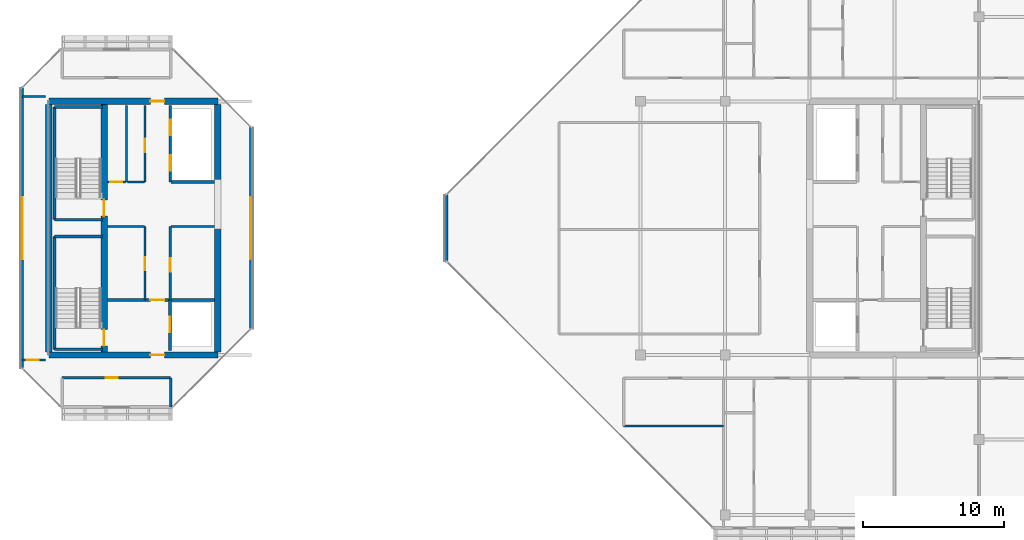
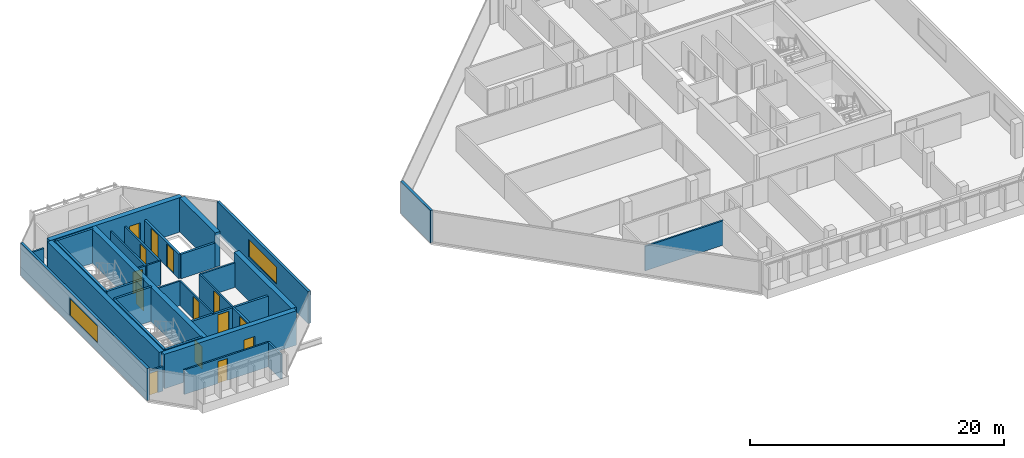
# One storey, part 21 of 28: 32 walls, 14 doors, 2 windows, 16 openings.
"""IFC4 building model written with IfcOpenShell, lengths in metres."""

from ifc_helpers import new_model, si_unit, direction, frame, frame_2d, origin, place, context, subcontext, project, spatial, rectangle, extrude, material, layer, layer_set, type_object, element, fill, save


model = new_model("IFC4")

# Units and contexts
model_context = context("Model", 3, precision=1e-05, world=origin(), true_north=direction((0.0, 1.0)))
body_context = subcontext(model_context, "Body", "Model", "MODEL_VIEW")
ifc_project = project(units=[si_unit("LENGTHUNIT", "METRE"), si_unit("AREAUNIT", "SQUARE_METRE"), si_unit("VOLUMEUNIT", "CUBIC_METRE"), si_unit("PLANEANGLEUNIT", "RADIAN"), si_unit("MASSUNIT", "GRAM", prefix="KILO")], contexts=[model_context])

# Site, building, storey
site_placement = place(None, origin())
site = spatial("IfcSite", under=ifc_project, at=site_placement, CompositionType="ELEMENT")
building_placement = place(site_placement, origin())
building = spatial("IfcBuilding", under=site, at=building_placement, Name="Tanjung Sevakor Pilgrim Tower", CompositionType="ELEMENT")
storey_placement = place(building_placement, frame((0.0, 0.0, 239.25)))
storey = spatial("IfcBuildingStorey", under=building, at=storey_placement, Name="L67", CompositionType="ELEMENT", Elevation=239.25)

# Wall, opening, door
ifc_material_1 = material(Name="Concrete C60/75", Category="concrete")
ifc_layer_1 = layer(ifc_material_1, 0.449951171875)
ifc_layer_set_1 = layer_set([ifc_layer_1], Name="WALL-CW-450")
wall_type_1 = type_object("IfcWallType", Name="WALL-CW-450", PredefinedType="SHEAR", material=ifc_layer_set_1)
wall_1_placement = place(storey_placement, frame((24.0, 24.60009765625, 0.0), z_axis=(0.0, 0.0, 1.0), x_axis=(1.0, 0.0, 0.0)))
wall_1 = element("IfcWall", 1, at=wall_1_placement, inside=storey, type_object=wall_type_1, Name="L67 W Core South Shear Wall", PredefinedType="SHEAR", context=body_context, shape_type="SweptSolid", body=[
    extrude(rectangle(XDim=12.0, YDim=0.449951171875, at=frame_2d((6.0, 0.0))), origin(), (0.0, 0.0, 1.0), 3.300048828125),
])
opening_1_placement = place(wall_1_placement, frame((7.199951171875, 0.0, 0.0)))
opening_1 = element("IfcOpeningElement", 2, at=opening_1_placement, cuts=wall_1, Name="Opening ID-FD1", PredefinedType="OPENING", context=body_context, shape_type="SweptSolid", body=[
    extrude(rectangle(XDim=1.0, YDim=2.14990234375, at=frame_2d((0.5, 1.074951171875))), frame((0.0, 0.23486328125, 0.0), z_axis=(0.0, -1.0, 0.0), x_axis=(1.0, 0.0, 0.0)), (0.0, 0.0, 1.0), 0.469970703125),
])
ifc_material_2 = material(Name="Fire-Rated Steel S355J2", Category="steel")
door_type_1 = type_object("IfcDoorType", Name="DT-FIRE-1000", OperationType="NOTDEFINED", PredefinedType="DOOR", material=ifc_material_2)
door_1_placement = place(opening_1_placement, origin())
door_1 = element("IfcDoor", 3, at=door_1_placement, inside=storey, type_object=door_type_1, Name="L67 West Core South Vestibule Fire Door", OperationType="SINGLE_SWING_LEFT", OverallHeight=2.14990234375, OverallWidth=1.0, PredefinedType="DOOR", context=body_context, shape_type="SweptSolid", body=[
    extrude(rectangle(XDim=1.0, YDim=2.14990234375, at=frame_2d((0.5, 1.074951171875))), frame((0.0, 0.02490234375, 0.0), z_axis=(0.0, -1.0, 0.0), x_axis=(1.0, 0.0, 0.0)), (0.0, 0.0, 1.0), 0.050048828125),
])
fill(opening_1, door_1)

wall_2_placement = place(storey_placement, frame((36.0, 42.60009765625, 0.0), z_axis=(0.0, 0.0, 1.0), x_axis=(-1.0, 0.0, 0.0)))
wall_2 = element("IfcWall", 4, at=wall_2_placement, inside=storey, type_object=wall_type_1, Name="L67 W Core North Shear Wall", PredefinedType="SHEAR", context=body_context, shape_type="SweptSolid", body=[
    extrude(rectangle(XDim=12.0, YDim=0.449951171875, at=frame_2d((6.0, 0.0))), origin(), (0.0, 0.0, 1.0), 3.300048828125),
])
opening_2_placement = place(wall_2_placement, frame((3.800048828125, 0.0, 0.0)))
opening_2 = element("IfcOpeningElement", 5, at=opening_2_placement, cuts=wall_2, Name="Opening ID-FD1", PredefinedType="OPENING", context=body_context, shape_type="SweptSolid", body=[
    extrude(rectangle(XDim=1.0, YDim=2.14990234375, at=frame_2d((0.5, 1.074951171875))), frame((0.0, 0.23486328125, 0.0), z_axis=(0.0, -1.0, 0.0), x_axis=(1.0, 0.0, 0.0)), (0.0, 0.0, 1.0), 0.469970703125),
])
door_2_placement = place(opening_2_placement, origin())
door_2 = element("IfcDoor", 6, at=door_2_placement, inside=storey, type_object=door_type_1, Name="L67 West Core North Vestibule Fire Door", OperationType="SINGLE_SWING_RIGHT", OverallHeight=2.14990234375, OverallWidth=1.0, PredefinedType="DOOR", context=body_context, shape_type="SweptSolid", body=[
    extrude(rectangle(XDim=1.0, YDim=2.14990234375, at=frame_2d((0.5, 1.074951171875))), frame((0.0, 0.02490234375, 0.0), z_axis=(0.0, -1.0, 0.0), x_axis=(1.0, 0.0, 0.0)), (0.0, 0.0, 1.0), 0.050048828125),
])
fill(opening_2, door_2)

# Walls
wall_3_placement = place(storey_placement, frame((24.0, 24.824951171875, 0.0), z_axis=(0.0, 0.0, 1.0), x_axis=(0.0, 1.0, 0.0)))
element("IfcWall", 7, at=wall_3_placement, inside=storey, type_object=wall_type_1, Name="L67 W Core Outer Shear Wall", PredefinedType="SHEAR", context=body_context, shape_type="SweptSolid", body=[
    extrude(rectangle(XDim=17.550048828125, YDim=0.449951171875, at=frame_2d((8.77490234375, 0.0))), origin(), (0.0, 0.0, 1.0), 3.300048828125),
])
wall_4_placement = place(storey_placement, frame((36.0, 24.824951171875, 0.0), z_axis=(0.0, 0.0, 1.0), x_axis=(0.0, 1.0, 0.0)))
element("IfcWall", 8, at=wall_4_placement, inside=storey, type_object=wall_type_1, Name="L67 W Core Inner Shear Wall South", PredefinedType="SHEAR", context=body_context, shape_type="SweptSolid", body=[
    extrude(rectangle(XDim=8.97509765625, YDim=0.449951171875, at=frame_2d((4.487548828125, 0.0))), origin(), (0.0, 0.0, 1.0), 3.300048828125),
])
wall_5_placement = place(storey_placement, frame((36.0, 36.800048828125, 0.0), z_axis=(0.0, 0.0, 1.0), x_axis=(0.0, 1.0, 0.0)))
element("IfcWall", 9, at=wall_5_placement, inside=storey, type_object=wall_type_1, Name="L67 W Core Inner Shear Wall North", PredefinedType="SHEAR", context=body_context, shape_type="SweptSolid", body=[
    extrude(rectangle(XDim=5.574951171875, YDim=0.449951171875, at=frame_2d((2.78759765625, 0.0))), origin(), (0.0, 0.0, 1.0), 3.300048828125),
])

# Wall, openings, doors
wall_6_placement = place(storey_placement, frame((27.925048828125, 24.824951171875, 0.0), z_axis=(0.0, 0.0, 1.0), x_axis=(0.0, 1.0, 0.0)))
wall_6 = element("IfcWall", 10, at=wall_6_placement, inside=storey, type_object=wall_type_1, Name="L67 W Core Stair Spine Wall", PredefinedType="SHEAR", context=body_context, shape_type="SweptSolid", body=[
    extrude(rectangle(XDim=17.550048828125, YDim=0.449951171875, at=frame_2d((8.77490234375, 0.0))), origin(), (0.0, 0.0, 1.0), 3.300048828125),
])
opening_3_placement = place(wall_6_placement, frame((0.425048828125, 0.0, 0.0)))
opening_3 = element("IfcOpeningElement", 11, at=opening_3_placement, cuts=wall_6, Name="Opening ID-ST1", PredefinedType="OPENING", context=body_context, shape_type="SweptSolid", body=[
    extrude(rectangle(XDim=1.14990234375, YDim=2.14990234375, at=frame_2d((0.574951171875, 1.074951171875))), frame((0.0, 0.23486328125, 0.0), z_axis=(0.0, -1.0, 0.0), x_axis=(1.0, 0.0, 0.0)), (0.0, 0.0, 1.0), 0.469970703125),
])
opening_4_placement = place(wall_6_placement, frame((9.625, 0.0, 0.0)))
opening_4 = element("IfcOpeningElement", 12, at=opening_4_placement, cuts=wall_6, Name="Opening ID-ST1", PredefinedType="OPENING", context=body_context, shape_type="SweptSolid", body=[
    extrude(rectangle(XDim=1.14990234375, YDim=2.14990234375, at=frame_2d((0.574951171875, 1.074951171875))), frame((0.0, 0.23486328125, 0.0), z_axis=(0.0, -1.0, 0.0), x_axis=(1.0, 0.0, 0.0)), (0.0, 0.0, 1.0), 0.469970703125),
])
ifc_material_3 = material(Name="Fire-Rated Steel S355J2", Category="steel")
door_type_2 = type_object("IfcDoorType", Name="DT-FIRE-1150", OperationType="NOTDEFINED", PredefinedType="DOOR", material=ifc_material_3)
door_3_placement = place(opening_3_placement, origin())
door_3 = element("IfcDoor", 13, at=door_3_placement, inside=storey, type_object=door_type_2, Name="L67 TS-W1 Stair Fire Door", OperationType="SINGLE_SWING_RIGHT", OverallHeight=2.14990234375, OverallWidth=1.14990234375, PredefinedType="DOOR", context=body_context, shape_type="SweptSolid", body=[
    extrude(rectangle(XDim=1.14990234375, YDim=2.14990234375, at=frame_2d((0.574951171875, 1.074951171875))), frame((0.0, 0.02490234375, 0.0), z_axis=(0.0, -1.0, 0.0), x_axis=(1.0, 0.0, 0.0)), (0.0, 0.0, 1.0), 0.050048828125),
])
fill(opening_3, door_3)
door_4_placement = place(opening_4_placement, origin())
door_4 = element("IfcDoor", 14, at=door_4_placement, inside=storey, type_object=door_type_2, Name="L67 TS-W2 Stair Fire Door", OperationType="SINGLE_SWING_LEFT", OverallHeight=2.14990234375, OverallWidth=1.14990234375, PredefinedType="DOOR", context=body_context, shape_type="SweptSolid", body=[
    extrude(rectangle(XDim=1.14990234375, YDim=2.14990234375, at=frame_2d((0.574951171875, 1.074951171875))), frame((0.0, 0.02490234375, 0.0), z_axis=(0.0, -1.0, 0.0), x_axis=(1.0, 0.0, 0.0)), (0.0, 0.0, 1.0), 0.050048828125),
])
fill(opening_4, door_4)

# Wall
ifc_material_4 = material(Name="Concrete C40/50", Category="concrete")
ifc_layer_2 = layer(ifc_material_4, 0.14990234375)
ifc_layer_set_2 = layer_set([ifc_layer_2], Name="WT-COMP-150")
wall_type_2 = type_object("IfcWallType", Name="WT-COMP-150", PredefinedType="SOLIDWALL", material=ifc_layer_set_2)
wall_7_placement = place(storey_placement, frame((28.169921875, 33.719970703125, 0.0), z_axis=(0.0, 0.0, 1.0), x_axis=(1.0, 0.0, 0.0)))
element("IfcWall", 15, at=wall_7_placement, inside=storey, type_object=wall_type_2, Name="L67 Partition IW-L67-003", PredefinedType="SOLIDWALL", context=body_context, shape_type="SweptSolid", body=[
    extrude(rectangle(XDim=2.630126953125, YDim=0.14990234375, at=frame_2d((1.31494140625, 0.0))), origin(), (0.0, 0.0, 1.0), 2.35009765625),
])

# Wall, opening, door
wall_8_placement = place(storey_placement, frame((30.820068359375, 28.5, 0.0), z_axis=(0.0, 0.0, 1.0), x_axis=(0.0, 1.0, 0.0)))
wall_8 = element("IfcWall", 16, at=wall_8_placement, inside=storey, type_object=wall_type_2, Name="L67 Partition IW-L67-004", PredefinedType="SOLIDWALL", context=body_context, shape_type="SweptSolid", body=[
    extrude(rectangle(XDim=5.219970703125, YDim=0.14990234375, at=frame_2d((2.60986328125, 0.0))), origin(), (0.0, 0.0, 1.0), 2.35009765625),
])
opening_5_placement = place(wall_8_placement, frame((2.10009765625, 0.0, 0.0)))
opening_5 = element("IfcOpeningElement", 17, at=opening_5_placement, cuts=wall_8, Name="Opening ID-FD2", PredefinedType="OPENING", context=body_context, shape_type="SweptSolid", body=[
    extrude(rectangle(XDim=0.949951171875, YDim=2.14990234375, at=frame_2d((0.47509765625, 1.074951171875))), frame((0.0, 0.0849609375, 0.0), z_axis=(0.0, -1.0, 0.0), x_axis=(1.0, 0.0, 0.0)), (0.0, 0.0, 1.0), 0.169921875),
])
ifc_material_5 = material(Name="Fire-Rated Timber", Category="wood")
door_type_3 = type_object("IfcDoorType", Name="DT-FIRE-950", OperationType="NOTDEFINED", PredefinedType="DOOR", material=ifc_material_5)
door_5_placement = place(opening_5_placement, origin())
door_5 = element("IfcDoor", 18, at=door_5_placement, inside=storey, type_object=door_type_3, Name="L67 Housekeeping Pantry Door", OperationType="SINGLE_SWING_LEFT", OverallHeight=2.14990234375, OverallWidth=0.949951171875, PredefinedType="DOOR", context=body_context, shape_type="SweptSolid", body=[
    extrude(rectangle(XDim=0.949951171875, YDim=2.14990234375, at=frame_2d((0.47509765625, 1.074951171875))), frame((0.0, 0.02490234375, 0.0), z_axis=(0.0, -1.0, 0.0), x_axis=(1.0, 0.0, 0.0)), (0.0, 0.0, 1.0), 0.050048828125),
])
fill(opening_5, door_5)

# Wall
wall_9_placement = place(storey_placement, frame((32.679931640625, 33.719970703125, 0.0), z_axis=(0.0, 0.0, 1.0), x_axis=(1.0, 0.0, 0.0)))
element("IfcWall", 19, at=wall_9_placement, inside=storey, type_object=wall_type_2, Name="L67 Partition IW-L67-005", PredefinedType="SOLIDWALL", context=body_context, shape_type="SweptSolid", body=[
    extrude(rectangle(XDim=3.074951171875, YDim=0.14990234375, at=frame_2d((1.53759765625, 0.0))), origin(), (0.0, 0.0, 1.0), 2.35009765625),
])

# Wall, opening, door
wall_10_placement = place(storey_placement, frame((32.6201171875, 28.5, 0.0), z_axis=(0.0, 0.0, 1.0), x_axis=(0.0, 1.0, 0.0)))
wall_10 = element("IfcWall", 20, at=wall_10_placement, inside=storey, type_object=wall_type_2, Name="L67 Partition IW-L67-006", PredefinedType="SOLIDWALL", context=body_context, shape_type="SweptSolid", body=[
    extrude(rectangle(XDim=5.219970703125, YDim=0.14990234375, at=frame_2d((2.60986328125, 0.0))), origin(), (0.0, 0.0, 1.0), 2.35009765625),
])
opening_6_placement = place(wall_10_placement, frame((2.0, 0.0, 0.0)))
opening_6 = element("IfcOpeningElement", 21, at=opening_6_placement, cuts=wall_10, Name="Opening ID-FD2", PredefinedType="OPENING", context=body_context, shape_type="SweptSolid", body=[
    extrude(rectangle(XDim=0.949951171875, YDim=2.14990234375, at=frame_2d((0.47509765625, 1.074951171875))), frame((0.0, 0.0849609375, 0.0), z_axis=(0.0, -1.0, 0.0), x_axis=(1.0, 0.0, 0.0)), (0.0, 0.0, 1.0), 0.169921875),
])
door_6_placement = place(opening_6_placement, origin())
door_6 = element("IfcDoor", 22, at=door_6_placement, inside=storey, type_object=door_type_3, Name="L67 Accessible WC Door", OperationType="SINGLE_SWING_RIGHT", OverallHeight=2.14990234375, OverallWidth=0.949951171875, PredefinedType="DOOR", context=body_context, shape_type="SweptSolid", body=[
    extrude(rectangle(XDim=0.949951171875, YDim=2.14990234375, at=frame_2d((0.47509765625, 1.074951171875))), frame((0.0, 0.02490234375, 0.0), z_axis=(0.0, -1.0, 0.0), x_axis=(1.0, 0.0, 0.0)), (0.0, 0.0, 1.0), 0.050048828125),
])
fill(opening_6, door_6)

# Wall
wall_11_placement = place(storey_placement, frame((29.52001953125, 36.8798828125, 0.0), z_axis=(0.0, 0.0, 1.0), x_axis=(0.0, 1.0, 0.0)))
element("IfcWall", 23, at=wall_11_placement, inside=storey, type_object=wall_type_2, Name="L67 Partition IW-L67-007", PredefinedType="SOLIDWALL", context=body_context, shape_type="SweptSolid", body=[
    extrude(rectangle(XDim=5.420166015625, YDim=0.14990234375, at=frame_2d((2.7099609375, 0.0))), origin(), (0.0, 0.0, 1.0), 2.35009765625),
])

# Wall, opening, door
wall_12_placement = place(storey_placement, frame((28.169921875, 36.8798828125, 0.0), z_axis=(0.0, 0.0, 1.0), x_axis=(1.0, 0.0, 0.0)))
wall_12 = element("IfcWall", 24, at=wall_12_placement, inside=storey, type_object=wall_type_2, Name="L67 Partition IW-L67-008", PredefinedType="SOLIDWALL", context=body_context, shape_type="SweptSolid", body=[
    extrude(rectangle(XDim=1.280029296875, YDim=0.14990234375, at=frame_2d((0.64013671875, 0.0))), origin(), (0.0, 0.0, 1.0), 2.35009765625),
])
opening_7_placement = place(wall_12_placement, frame((0.179931640625, 0.0, 0.0)))
opening_7 = element("IfcOpeningElement", 25, at=opening_7_placement, cuts=wall_12, Name="Opening ID-FD3", PredefinedType="OPENING", context=body_context, shape_type="SweptSolid", body=[
    extrude(rectangle(XDim=0.85009765625, YDim=2.10009765625, at=frame_2d((0.425048828125, 1.050048828125))), frame((0.0, 0.0849609375, 0.0), z_axis=(0.0, -1.0, 0.0), x_axis=(1.0, 0.0, 0.0)), (0.0, 0.0, 1.0), 0.169921875),
])
ifc_material_6 = material(Name="Fire-Rated Timber", Category="wood")
door_type_4 = type_object("IfcDoorType", Name="DT-FIRE-850", OperationType="NOTDEFINED", PredefinedType="DOOR", material=ifc_material_6)
door_7_placement = place(opening_7_placement, origin())
door_7 = element("IfcDoor", 26, at=door_7_placement, inside=storey, type_object=door_type_4, Name="L67 Service Store Door", OperationType="SINGLE_SWING_LEFT", OverallHeight=2.10009765625, OverallWidth=0.85009765625, PredefinedType="DOOR", context=body_context, shape_type="SweptSolid", body=[
    extrude(rectangle(XDim=0.85009765625, YDim=2.10009765625, at=frame_2d((0.425048828125, 1.050048828125))), frame((0.0, 0.02490234375, 0.0), z_axis=(0.0, -1.0, 0.0), x_axis=(1.0, 0.0, 0.0)), (0.0, 0.0, 1.0), 0.050048828125),
])
fill(opening_7, door_7)

# Wall
wall_13_placement = place(storey_placement, frame((29.580078125, 36.8798828125, 0.0), z_axis=(0.0, 0.0, 1.0), x_axis=(1.0, 0.0, 0.0)))
element("IfcWall", 27, at=wall_13_placement, inside=storey, type_object=wall_type_2, Name="L67 Partition IW-L67-009", PredefinedType="SOLIDWALL", context=body_context, shape_type="SweptSolid", body=[
    extrude(rectangle(XDim=1.219970703125, YDim=0.14990234375, at=frame_2d((0.60986328125, 0.0))), origin(), (0.0, 0.0, 1.0), 2.35009765625),
])

# Wall, opening, door
wall_14_placement = place(storey_placement, frame((30.820068359375, 36.8798828125, 0.0), z_axis=(0.0, 0.0, 1.0), x_axis=(0.0, 1.0, 0.0)))
wall_14 = element("IfcWall", 28, at=wall_14_placement, inside=storey, type_object=wall_type_2, Name="L67 Partition IW-L67-010", PredefinedType="SOLIDWALL", context=body_context, shape_type="SweptSolid", body=[
    extrude(rectangle(XDim=5.420166015625, YDim=0.14990234375, at=frame_2d((2.7099609375, 0.0))), origin(), (0.0, 0.0, 1.0), 2.35009765625),
])
opening_8_placement = place(wall_14_placement, frame((2.10009765625, 0.0, 0.0)))
opening_8 = element("IfcOpeningElement", 29, at=opening_8_placement, cuts=wall_14, Name="Opening ID-FD2", PredefinedType="OPENING", context=body_context, shape_type="SweptSolid", body=[
    extrude(rectangle(XDim=0.949951171875, YDim=2.14990234375, at=frame_2d((0.47509765625, 1.074951171875))), frame((0.0, 0.0849609375, 0.0), z_axis=(0.0, -1.0, 0.0), x_axis=(1.0, 0.0, 0.0)), (0.0, 0.0, 1.0), 0.169921875),
])
door_8_placement = place(opening_8_placement, origin())
door_8 = element("IfcDoor", 30, at=door_8_placement, inside=storey, type_object=door_type_3, Name="L67 Core Reading Room Door", OperationType="SINGLE_SWING_RIGHT", OverallHeight=2.14990234375, OverallWidth=0.949951171875, PredefinedType="DOOR", context=body_context, shape_type="SweptSolid", body=[
    extrude(rectangle(XDim=0.949951171875, YDim=2.14990234375, at=frame_2d((0.47509765625, 1.074951171875))), frame((0.0, 0.02490234375, 0.0), z_axis=(0.0, -1.0, 0.0), x_axis=(1.0, 0.0, 0.0)), (0.0, 0.0, 1.0), 0.050048828125),
])
fill(opening_8, door_8)

wall_15_placement = place(storey_placement, frame((24.949951171875, 22.97998046875, 0.0), z_axis=(0.0, 0.0, 1.0), x_axis=(1.0, 0.0, 0.0)))
wall_15 = element("IfcWall", 31, at=wall_15_placement, inside=storey, type_object=wall_type_2, Name="L67 Partition IW-L67-025", PredefinedType="SOLIDWALL", context=body_context, shape_type="SweptSolid", body=[
    extrude(rectangle(XDim=7.699951171875, YDim=0.14990234375, at=frame_2d((3.85009765625, 0.0))), origin(), (0.0, 0.0, 1.0), 2.35009765625),
])
opening_9_placement = place(wall_15_placement, frame((3.074951171875, 0.0, 0.0)))
opening_9 = element("IfcOpeningElement", 32, at=opening_9_placement, cuts=wall_15, Name="Opening ID-WC1", PredefinedType="OPENING", context=body_context, shape_type="SweptSolid", body=[
    extrude(rectangle(XDim=0.85009765625, YDim=2.10009765625, at=frame_2d((0.425048828125, 1.050048828125))), frame((0.0, 0.0849609375, 0.0), z_axis=(0.0, -1.0, 0.0), x_axis=(1.0, 0.0, 0.0)), (0.0, 0.0, 1.0), 0.169921875),
])
ifc_material_7 = material(Name="Moisture-Resistant Timber", Category="wood")
door_type_5 = type_object("IfcDoorType", Name="DT-INT-850", OperationType="NOTDEFINED", PredefinedType="DOOR", material=ifc_material_7)
door_9_placement = place(opening_9_placement, origin())
door_9 = element("IfcDoor", 33, at=door_9_placement, inside=storey, type_object=door_type_5, Name="L67 West Peak Meditation Door", OperationType="SINGLE_SWING_LEFT", OverallHeight=2.10009765625, OverallWidth=0.85009765625, PredefinedType="DOOR", context=body_context, shape_type="SweptSolid", body=[
    extrude(rectangle(XDim=0.85009765625, YDim=2.10009765625, at=frame_2d((0.425048828125, 1.050048828125))), frame((0.0, 0.02490234375, 0.0), z_axis=(0.0, -1.0, 0.0), x_axis=(1.0, 0.0, 0.0)), (0.0, 0.0, 1.0), 0.050048828125),
])
fill(opening_9, door_9)

# Wall
wall_16_placement = place(storey_placement, frame((32.64990234375, 20.919921875, 0.0), z_axis=(0.0, 0.0, 1.0), x_axis=(0.0, 1.0, 0.0)))
element("IfcWall", 34, at=wall_16_placement, inside=storey, type_object=wall_type_2, Name="L67 Partition IW-L67-027", PredefinedType="SOLIDWALL", context=body_context, shape_type="SweptSolid", body=[
    extrude(rectangle(XDim=2.06005859375, YDim=0.14990234375, at=frame_2d((1.030029296875, 0.0))), origin(), (0.0, 0.0, 1.0), 2.35009765625),
])

# Wall, opening, door
wall_17_placement = place(storey_placement, frame((22.1201171875, 24.25, 0.0), z_axis=(0.0, 0.0, 1.0), x_axis=(1.0, 0.0, 0.0)))
wall_17 = element("IfcWall", 35, at=wall_17_placement, inside=storey, type_object=wall_type_2, Name="L67 Partition IW-L67-028", PredefinedType="SOLIDWALL", context=body_context, shape_type="SweptSolid", body=[
    extrude(rectangle(XDim=1.639892578125, YDim=0.14990234375, at=frame_2d((0.81982421875, 0.0))), origin(), (0.0, 0.0, 1.0), 2.35009765625),
])
opening_10_placement = place(wall_17_placement, frame((0.324951171875, 0.0, 0.0)))
opening_10 = element("IfcOpeningElement", 36, at=opening_10_placement, cuts=wall_17, Name="Opening ID-WC1", PredefinedType="OPENING", context=body_context, shape_type="SweptSolid", body=[
    extrude(rectangle(XDim=0.85009765625, YDim=2.10009765625, at=frame_2d((0.425048828125, 1.050048828125))), frame((0.0, 0.0849609375, 0.0), z_axis=(0.0, -1.0, 0.0), x_axis=(1.0, 0.0, 0.0)), (0.0, 0.0, 1.0), 0.169921875),
])
door_10_placement = place(opening_10_placement, origin())
door_10 = element("IfcDoor", 37, at=door_10_placement, inside=storey, type_object=door_type_5, Name="L67 West Peak Sky Lounge Door", OperationType="SINGLE_SWING_RIGHT", OverallHeight=2.10009765625, OverallWidth=0.85009765625, PredefinedType="DOOR", context=body_context, shape_type="SweptSolid", body=[
    extrude(rectangle(XDim=0.85009765625, YDim=2.10009765625, at=frame_2d((0.425048828125, 1.050048828125))), frame((0.0, 0.02490234375, 0.0), z_axis=(0.0, -1.0, 0.0), x_axis=(1.0, 0.0, 0.0)), (0.0, 0.0, 1.0), 0.050048828125),
])
fill(opening_10, door_10)

# Walls
wall_18_placement = place(storey_placement, frame((22.1201171875, 42.949951171875, 0.0), z_axis=(0.0, 0.0, 1.0), x_axis=(1.0, 0.0, 0.0)))
element("IfcWall", 38, at=wall_18_placement, inside=storey, type_object=wall_type_2, Name="L67 Partition IW-L67-029", PredefinedType="SOLIDWALL", context=body_context, shape_type="SweptSolid", body=[
    extrude(rectangle(XDim=1.639892578125, YDim=0.14990234375, at=frame_2d((0.81982421875, 0.0))), origin(), (0.0, 0.0, 1.0), 2.35009765625),
])
wall_19_placement = place(storey_placement, frame((64.800048828125, 19.550048828125, 0.0), z_axis=(0.0, 0.0, 1.0), x_axis=(1.0, 0.0, 0.0)))
element("IfcWall", 39, at=wall_19_placement, inside=storey, type_object=wall_type_2, Name="L67 Partition IW-L67-033", PredefinedType="SOLIDWALL", context=body_context, shape_type="SweptSolid", body=[
    extrude(rectangle(XDim=7.079833984375, YDim=0.14990234375, at=frame_2d((3.5400390625, 0.0))), origin(), (0.0, 0.0, 1.0), 2.35009765625),
])

# Wall, opening, window
ifc_material_8 = material(Name="Precast concrete C45/55", Category="concrete")
ifc_layer_3 = layer(ifc_material_8, 0.219970703125)
ifc_layer_set_3 = layer_set([ifc_layer_3], Name="WT-EW-STN4")
wall_type_3 = type_object("IfcWallType", Name="WT-EW-STN4", PredefinedType="SOLIDWALL", material=ifc_layer_set_3)
wall_20_placement = place(storey_placement, frame((38.340087890625, 26.445556640625, 0.0), z_axis=(0.0, 0.0, 1.0), x_axis=(0.0, 1.0, 0.0)))
wall_20 = element("IfcWall", 40, at=wall_20_placement, inside=storey, type_object=wall_type_3, Name="L67 WEST Exterior Wall 3", PredefinedType="SOLIDWALL", context=body_context, shape_type="SweptSolid", body=[
    extrude(rectangle(XDim=14.308837890625, YDim=0.219970703125, at=frame_2d((7.154296875, 0.0))), origin(), (0.0, 0.0, 1.0), 3.080078125),
])
opening_11_placement = place(wall_20_placement, frame((4.954345703125, 0.0, 0.780029296875)))
opening_11 = element("IfcOpeningElement", 41, at=opening_11_placement, cuts=wall_20, Name="Opening WN-ENDW-1660", PredefinedType="OPENING", context=body_context, shape_type="SweptSolid", body=[
    extrude(rectangle(XDim=4.39990234375, YDim=1.659912109375, at=frame_2d((2.199951171875, 0.830078125))), frame((0.0, 0.119873046875, 0.0), z_axis=(0.0, -1.0, 0.0), x_axis=(1.0, 0.0, 0.0)), (0.0, 0.0, 1.0), 0.239990234375),
])
ifc_material_9 = material(Name="Thermally Broken Aluminium and Low-E Glass", Category="aluminium")
window_type = type_object("IfcWindowType", Name="WTYP-WN-ENDW-1660", PartitioningType="DOUBLE_PANEL_VERTICAL", PredefinedType="WINDOW", material=ifc_material_9)
window_1_placement = place(opening_11_placement, origin())
window_1 = element("IfcWindow", 42, at=window_1_placement, inside=storey, type_object=window_type, Name="L67 Facade Window 01", OverallHeight=1.659912109375, OverallWidth=4.39990234375, PartitioningType="SINGLE_PANEL", PredefinedType="WINDOW", context=body_context, shape_type="SweptSolid", body=[
    extrude(rectangle(XDim=4.39990234375, YDim=1.659912109375, at=frame_2d((2.199951171875, 0.830078125))), frame((0.0, 0.030029296875, 0.0), z_axis=(0.0, -1.0, 0.0), x_axis=(1.0, 0.0, 0.0)), (0.0, 0.0, 1.0), 0.06005859375),
])
fill(opening_11, window_1)

wall_21_placement = place(storey_placement, frame((22.110107421875, 43.554443359375, 0.0), z_axis=(0.0, 0.0, 1.0), x_axis=(0.0, -1.0, 0.0)))
wall_21 = element("IfcWall", 43, at=wall_21_placement, inside=storey, type_object=wall_type_3, Name="L67 WEST Exterior Wall 7", PredefinedType="SOLIDWALL", context=body_context, shape_type="SweptSolid", body=[
    extrude(rectangle(XDim=19.908935546875, YDim=0.219970703125, at=frame_2d((9.95458984375, 0.0))), origin(), (0.0, 0.0, 1.0), 3.080078125),
])
opening_12_placement = place(wall_21_placement, frame((7.75439453125, 0.0, 0.780029296875)))
opening_12 = element("IfcOpeningElement", 44, at=opening_12_placement, cuts=wall_21, Name="Opening WN-ENDW-1660", PredefinedType="OPENING", context=body_context, shape_type="SweptSolid", body=[
    extrude(rectangle(XDim=4.39990234375, YDim=1.659912109375, at=frame_2d((2.199951171875, 0.830078125))), frame((0.0, 0.119873046875, 0.0), z_axis=(0.0, -1.0, 0.0), x_axis=(1.0, 0.0, 0.0)), (0.0, 0.0, 1.0), 0.239990234375),
])
window_2_placement = place(opening_12_placement, origin())
window_2 = element("IfcWindow", 45, at=window_2_placement, inside=storey, type_object=window_type, Name="L67 Facade Window 01", OverallHeight=1.659912109375, OverallWidth=4.39990234375, PartitioningType="SINGLE_PANEL", PredefinedType="WINDOW", context=body_context, shape_type="SweptSolid", body=[
    extrude(rectangle(XDim=4.39990234375, YDim=1.659912109375, at=frame_2d((2.199951171875, 0.830078125))), frame((0.0, 0.030029296875, 0.0), z_axis=(0.0, -1.0, 0.0), x_axis=(1.0, 0.0, 0.0)), (0.0, 0.0, 1.0), 0.06005859375),
])
fill(opening_12, window_2)

# Walls
wall_22_placement = place(storey_placement, frame((52.2099609375, 35.954345703125, 0.0), z_axis=(0.0, 0.0, 1.0), x_axis=(0.0, -1.0, 0.0)))
element("IfcWall", 46, at=wall_22_placement, inside=storey, type_object=wall_type_3, Name="L67 EAST Exterior Wall 7", PredefinedType="SOLIDWALL", context=body_context, shape_type="SweptSolid", body=[
    extrude(rectangle(XDim=4.708740234375, YDim=0.219970703125, at=frame_2d((2.3544921875, 0.0))), origin(), (0.0, 0.0, 1.0), 3.080078125),
])
ifc_material_10 = material(Name="Concrete C40/50", Category="concrete")
ifc_layer_4 = layer(ifc_material_10, 0.199951171875)
ifc_layer_set_4 = layer_set([ifc_layer_4], Name="WT-FIRE-200")
wall_type_4 = type_object("IfcWallType", Name="WT-FIRE-200", PredefinedType="SOLIDWALL", material=ifc_layer_set_4)
for number, where, z_axis, x_axis, name in (
    (47, (24.39990234375, 25.0, 0.0), (0.0, 0.0, 1.0), (1.0, 0.0, 0.0), "L67 TS-W1 Shaft Wall 1"),
    (48, (27.800048828125, 33.0, 0.0), (0.0, 0.0, 1.0), (-1.0, 0.0, 0.0), "L67 TS-W1 Shaft Wall 2"),
):
    element("IfcWall", number, at=place(storey_placement, frame(where, z_axis=z_axis, x_axis=x_axis)), inside=storey, type_object=wall_type_4, Name=name, PredefinedType="SOLIDWALL", context=body_context, shape_type="SweptSolid", body=[
        extrude(rectangle(XDim=3.400146484375, YDim=0.199951171875, at=frame_2d((1.7001953125, 0.0))), origin(), (0.0, 0.0, 1.0), 3.300048828125),
    ])
wall_23_placement = place(storey_placement, frame((24.39990234375, 33.0, 0.0), z_axis=(0.0, 0.0, 1.0), x_axis=(0.0, -1.0, 0.0)))
element("IfcWall", 49, at=wall_23_placement, inside=storey, type_object=wall_type_4, Name="L67 TS-W1 Shaft Wall 3", PredefinedType="SOLIDWALL", context=body_context, shape_type="SweptSolid", body=[
    extrude(rectangle(XDim=8.0, YDim=0.199951171875, at=frame_2d((4.0, 0.0))), origin(), (0.0, 0.0, 1.0), 3.300048828125),
])
for number, where, z_axis, x_axis, name in (
    (50, (24.39990234375, 34.199951171875, 0.0), (0.0, 0.0, 1.0), (1.0, 0.0, 0.0), "L67 TS-W2 Shaft Wall 1"),
    (51, (27.800048828125, 42.199951171875, 0.0), (0.0, 0.0, 1.0), (-1.0, 0.0, 0.0), "L67 TS-W2 Shaft Wall 2"),
):
    element("IfcWall", number, at=place(storey_placement, frame(where, z_axis=z_axis, x_axis=x_axis)), inside=storey, type_object=wall_type_4, Name=name, PredefinedType="SOLIDWALL", context=body_context, shape_type="SweptSolid", body=[
        extrude(rectangle(XDim=3.400146484375, YDim=0.199951171875, at=frame_2d((1.7001953125, 0.0))), origin(), (0.0, 0.0, 1.0), 3.300048828125),
    ])
wall_24_placement = place(storey_placement, frame((24.39990234375, 42.199951171875, 0.0), z_axis=(0.0, 0.0, 1.0), x_axis=(0.0, -1.0, 0.0)))
element("IfcWall", 52, at=wall_24_placement, inside=storey, type_object=wall_type_4, Name="L67 TS-W2 Shaft Wall 3", PredefinedType="SOLIDWALL", context=body_context, shape_type="SweptSolid", body=[
    extrude(rectangle(XDim=8.0, YDim=0.199951171875, at=frame_2d((4.0, 0.0))), origin(), (0.0, 0.0, 1.0), 3.300048828125),
])

# Wall, opening, door
ifc_material_11 = material(Name="Concrete C40/50", Category="concrete")
ifc_layer_5 = layer(ifc_material_11, 0.199951171875)
ifc_layer_set_5 = layer_set([ifc_layer_5], Name="WT-FPRT-200")
wall_type_5 = type_object("IfcWallType", Name="WT-FPRT-200", PredefinedType="SOLIDWALL", material=ifc_layer_set_5)
wall_25_placement = place(storey_placement, frame((32.60009765625, 24.919921875, 0.0), z_axis=(0.0, 0.0, 1.0), x_axis=(0.0, 1.0, 0.0)))
wall_25 = element("IfcWall", 53, at=wall_25_placement, inside=storey, type_object=wall_type_5, Name="L67 Partition IW-L67-001", PredefinedType="SOLIDWALL", context=body_context, shape_type="SweptSolid", body=[
    extrude(rectangle(XDim=3.580078125, YDim=0.199951171875, at=frame_2d((1.7900390625, 0.0))), origin(), (0.0, 0.0, 1.0), 2.35009765625),
])
opening_13_placement = place(wall_25_placement, frame((1.300048828125, 0.0, 0.0)))
opening_13 = element("IfcOpeningElement", 54, at=opening_13_placement, cuts=wall_25, Name="Opening LD-1100", PredefinedType="OPENING", context=body_context, shape_type="SweptSolid", body=[
    extrude(rectangle(XDim=1.10009765625, YDim=2.199951171875, at=frame_2d((0.550048828125, 1.10009765625))), frame((0.0, 0.10986328125, 0.0), z_axis=(0.0, -1.0, 0.0), x_axis=(1.0, 0.0, 0.0)), (0.0, 0.0, 1.0), 0.219970703125),
])
ifc_material_12 = material(Name="Brushed Stainless Steel S355J2", Category="steel")
door_type_6 = type_object("IfcDoorType", Name="DT-LIFT-1100", OperationType="SLIDING_TO_LEFT", PredefinedType="DOOR", material=ifc_material_12)
door_11_placement = place(opening_13_placement, origin())
door_11 = element("IfcDoor", 55, at=door_11_placement, inside=storey, type_object=door_type_6, Name="LD-FL-W", OperationType="SLIDING_TO_LEFT", OverallHeight=2.199951171875, OverallWidth=1.10009765625, PredefinedType="DOOR", context=body_context, shape_type="SweptSolid", body=[
    extrude(rectangle(XDim=1.10009765625, YDim=2.199951171875, at=frame_2d((0.550048828125, 1.10009765625))), frame((0.0, 0.02490234375, 0.0), z_axis=(0.0, -1.0, 0.0), x_axis=(1.0, 0.0, 0.0)), (0.0, 0.0, 1.0), 0.050048828125),
])
fill(opening_13, door_11)

wall_26_placement = place(storey_placement, frame((28.169921875, 28.5, 0.0), z_axis=(0.0, 0.0, 1.0), x_axis=(1.0, 0.0, 0.0)))
wall_26 = element("IfcWall", 56, at=wall_26_placement, inside=storey, type_object=wall_type_5, Name="L67 Partition IW-L67-002", PredefinedType="SOLIDWALL", context=body_context, shape_type="SweptSolid", body=[
    extrude(rectangle(XDim=7.5849609375, YDim=0.199951171875, at=frame_2d((3.79248046875, 0.0))), origin(), (0.0, 0.0, 1.0), 2.35009765625),
])
opening_14_placement = place(wall_26_placement, frame((3.030029296875, 0.0, 0.0)))
opening_14 = element("IfcOpeningElement", 57, at=opening_14_placement, cuts=wall_26, Name="Opening ID-FD1", PredefinedType="OPENING", context=body_context, shape_type="SweptSolid", body=[
    extrude(rectangle(XDim=1.0, YDim=2.14990234375, at=frame_2d((0.5, 1.074951171875))), frame((0.0, 0.10986328125, 0.0), z_axis=(0.0, -1.0, 0.0), x_axis=(1.0, 0.0, 0.0)), (0.0, 0.0, 1.0), 0.219970703125),
])
door_12_placement = place(opening_14_placement, origin())
door_12 = element("IfcDoor", 58, at=door_12_placement, inside=storey, type_object=door_type_1, Name="Fire Lobby Door W", OperationType="SINGLE_SWING_RIGHT", OverallHeight=2.14990234375, OverallWidth=1.0, PredefinedType="DOOR", context=body_context, shape_type="SweptSolid", body=[
    extrude(rectangle(XDim=1.0, YDim=2.14990234375, at=frame_2d((0.5, 1.074951171875))), frame((0.0, 0.02490234375, 0.0), z_axis=(0.0, -1.0, 0.0), x_axis=(1.0, 0.0, 0.0)), (0.0, 0.0, 1.0), 0.050048828125),
])
fill(opening_14, door_12)

# Wall
wall_27_placement = place(storey_placement, frame((32.679931640625, 36.8798828125, 0.0), z_axis=(0.0, 0.0, 1.0), x_axis=(1.0, 0.0, 0.0)))
element("IfcWall", 59, at=wall_27_placement, inside=storey, type_object=wall_type_5, Name="L67 Partition IW-L67-011", PredefinedType="SOLIDWALL", context=body_context, shape_type="SweptSolid", body=[
    extrude(rectangle(XDim=3.074951171875, YDim=0.199951171875, at=frame_2d((1.53759765625, 0.0))), origin(), (0.0, 0.0, 1.0), 2.35009765625),
])

# Wall, openings, doors
wall_28_placement = place(storey_placement, frame((32.6201171875, 36.8798828125, 0.0), z_axis=(0.0, 0.0, 1.0), x_axis=(0.0, 1.0, 0.0)))
wall_28 = element("IfcWall", 60, at=wall_28_placement, inside=storey, type_object=wall_type_5, Name="L67 Partition IW-L67-012", PredefinedType="SOLIDWALL", context=body_context, shape_type="SweptSolid", body=[
    extrude(rectangle(XDim=5.420166015625, YDim=0.199951171875, at=frame_2d((2.7099609375, 0.0))), origin(), (0.0, 0.0, 1.0), 2.35009765625),
])
opening_15_placement = place(wall_28_placement, frame((0.800048828125, 0.0, 0.0)))
opening_15 = element("IfcOpeningElement", 61, at=opening_15_placement, cuts=wall_28, Name="Opening LD-1100", PredefinedType="OPENING", context=body_context, shape_type="SweptSolid", body=[
    extrude(rectangle(XDim=1.10009765625, YDim=2.199951171875, at=frame_2d((0.550048828125, 1.10009765625))), frame((0.0, 0.10986328125, 0.0), z_axis=(0.0, -1.0, 0.0), x_axis=(1.0, 0.0, 0.0)), (0.0, 0.0, 1.0), 0.219970703125),
])
opening_16_placement = place(wall_28_placement, frame((3.300048828125, 0.0, 0.0)))
opening_16 = element("IfcOpeningElement", 62, at=opening_16_placement, cuts=wall_28, Name="Opening LD-1100", PredefinedType="OPENING", context=body_context, shape_type="SweptSolid", body=[
    extrude(rectangle(XDim=1.10009765625, YDim=2.199951171875, at=frame_2d((0.550048828125, 1.10009765625))), frame((0.0, 0.10986328125, 0.0), z_axis=(0.0, -1.0, 0.0), x_axis=(1.0, 0.0, 0.0)), (0.0, 0.0, 1.0), 0.219970703125),
])
door_13_placement = place(opening_15_placement, origin())
door_13 = element("IfcDoor", 63, at=door_13_placement, inside=storey, type_object=door_type_6, Name="LD-PLH1-W", OperationType="SLIDING_TO_LEFT", OverallHeight=2.199951171875, OverallWidth=1.10009765625, PredefinedType="DOOR", context=body_context, shape_type="SweptSolid", body=[
    extrude(rectangle(XDim=1.10009765625, YDim=2.199951171875, at=frame_2d((0.550048828125, 1.10009765625))), frame((0.0, 0.02490234375, 0.0), z_axis=(0.0, -1.0, 0.0), x_axis=(1.0, 0.0, 0.0)), (0.0, 0.0, 1.0), 0.050048828125),
])
fill(opening_15, door_13)
door_14_placement = place(opening_16_placement, origin())
door_14 = element("IfcDoor", 64, at=door_14_placement, inside=storey, type_object=door_type_6, Name="LD-PLH2-W", OperationType="SLIDING_TO_RIGHT", OverallHeight=2.199951171875, OverallWidth=1.10009765625, PredefinedType="DOOR", context=body_context, shape_type="SweptSolid", body=[
    extrude(rectangle(XDim=1.10009765625, YDim=2.199951171875, at=frame_2d((0.550048828125, 1.10009765625))), frame((0.0, 0.02490234375, 0.0), z_axis=(0.0, -1.0, 0.0), x_axis=(1.0, 0.0, 0.0)), (0.0, 0.0, 1.0), 0.050048828125),
])
fill(opening_16, door_14)

save(model, "model.ifc")
